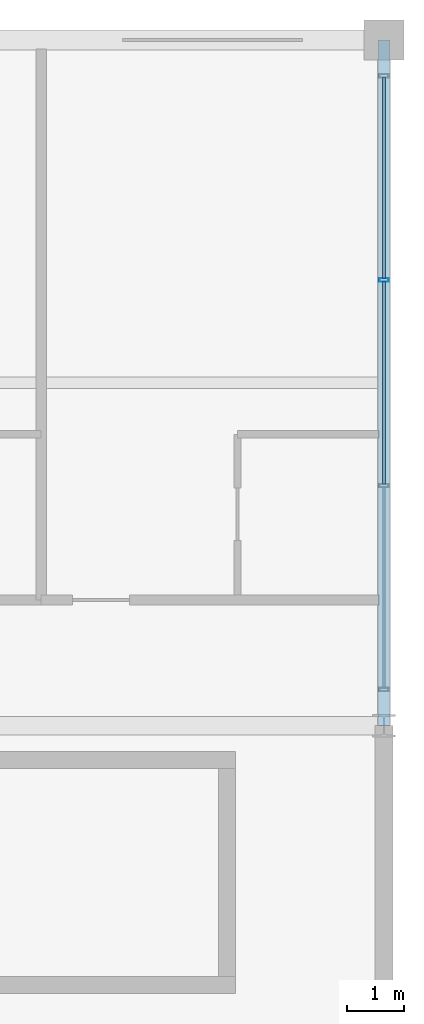
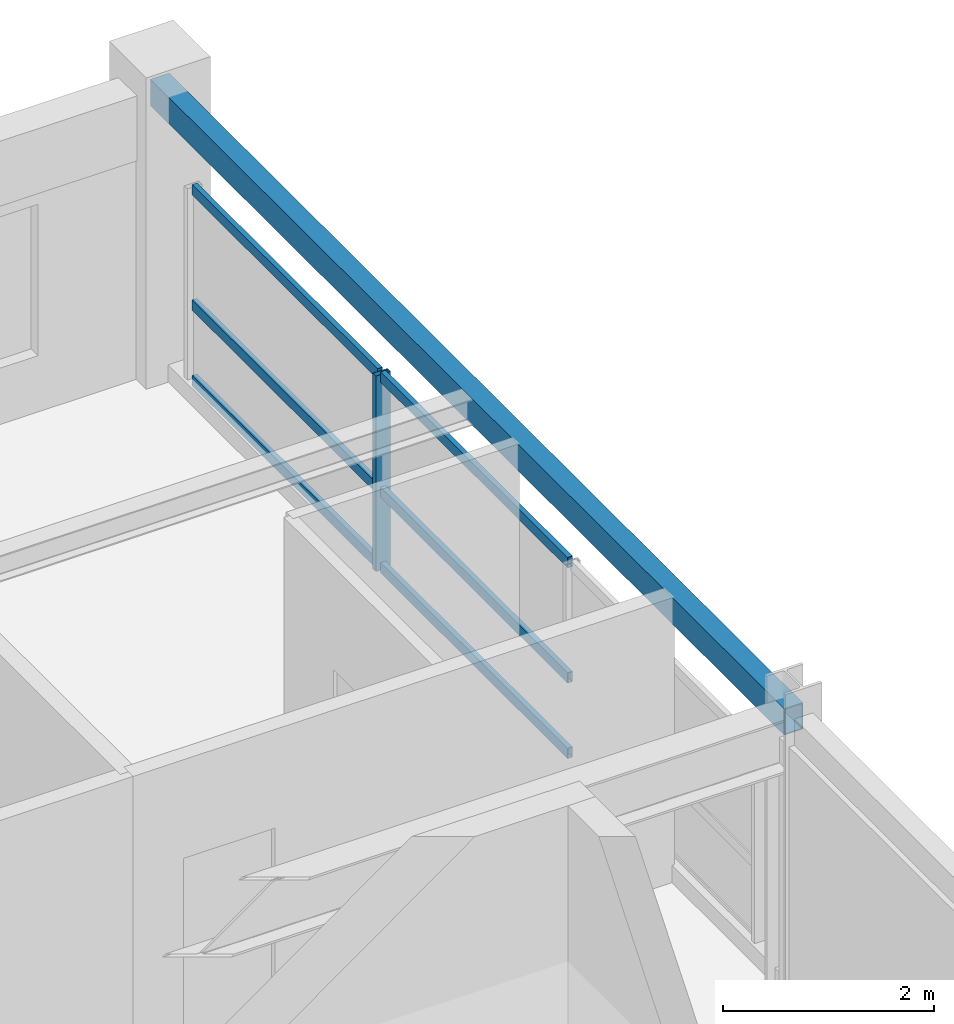
# One storey, part 14 of 22: 7 members, 1 beam, 1 element without a shape of its own.
"""IFC4 building model written with IfcOpenShell, lengths in metres."""

from ifc_helpers import new_model, si_unit, direction, frame, origin, origin_2d, place, context, subcontext, project, spatial, hollow_rectangle, extrude, material, material_profile, profile_set, type_object, element, aggregate, save


model = new_model("IFC4")

# Units and contexts
model_context = context("Model", 3, precision=1e-05, world=origin(), true_north=direction((0.0, 1.0)))
body_context = subcontext(model_context, "Body", "Model", "MODEL_VIEW")
ifc_project = project(units=[si_unit("LENGTHUNIT", "METRE"), si_unit("AREAUNIT", "SQUARE_METRE"), si_unit("VOLUMEUNIT", "CUBIC_METRE"), si_unit("PLANEANGLEUNIT", "RADIAN"), si_unit("MASSUNIT", "GRAM", prefix="KILO")], contexts=[model_context])

# Site, building, storey
site_placement = place(None, origin())
site = spatial("IfcSite", under=ifc_project, at=site_placement, CompositionType="ELEMENT")
building_placement = place(site_placement, origin())
building = spatial("IfcBuilding", under=site, at=building_placement, Name="Kaldorvane Square Convention Centre", CompositionType="ELEMENT")
storey_placement = place(building_placement, frame((0.0, 0.0, 63.600006103515625)))
storey = spatial("IfcBuildingStorey", under=building, at=storey_placement, Name="L15", CompositionType="ELEMENT", Elevation=63.600006103515625)

# Beam
ifc_material_1 = material(Name="Steel ASTM A500 Gr. C", Category="steel")
ifc_material_profile_1 = material_profile(ifc_material_1, hollow_rectangle(XDim=0.2032012939453125, YDim=0.3047943115234375, WallThickness=0.0088958740234375, at=origin_2d()), Name="HSS12X8X3/8")
ifc_profile_set_1 = profile_set([ifc_material_profile_1], Name="Steel ASTM A500 Gr. C")
beam_type = type_object("IfcBeamType", Name="BM-SP-HSS12", PredefinedType="SPANDREL", material=ifc_profile_set_1)
beam_placement = place(storey_placement, frame((78.0, 105.0, 3.1335906982421875), z_axis=(0.0, 1.0, 0.0), x_axis=(-1.0, 0.0, 0.0)))
element("IfcBeam", 1, at=beam_placement, inside=storey, type_object=beam_type, Name="End Spandrel (L15)", PredefinedType="SPANDREL", context=body_context, shape_type="SweptSolid", body=[
    extrude(hollow_rectangle(XDim=0.2032012939453125, YDim=0.3047943115234375, WallThickness=0.0088958740234375, at=origin_2d()), origin(), (0.0, 0.0, 1.0), 12.0),
])

# Curtain wall, members
ifc_material_2 = material(Name="Anodized Aluminum and Low-E Insulated Glazing", Category="aluminium")
curtain_wall_type = type_object("IfcCurtainWallType", Name="CW-UNI-HTL-A", PredefinedType="USERDEFINED", material=ifc_material_2)
curtain_wall_placement = place(storey_placement, origin())
curtain_wall = element("IfcCurtainWall", 2, at=curtain_wall_placement, inside=storey, type_object=curtain_wall_type, Name="Curtain Wall CW-10 (L15)", ObjectType="UNITISED GLAZING", PredefinedType="USERDEFINED")
ifc_material_profile_2 = material_profile(ifc_material_2, hollow_rectangle(XDim=0.05999755859375, YDim=0.160003662109375, WallThickness=0.003204345703125, at=origin_2d()), Name="CWM-160X60")
ifc_profile_set_2 = profile_set([ifc_material_profile_2], Name="Anodized Aluminum and Low-E Insulated Glazing")
member_type_1 = type_object("IfcMemberType", Name="CW-MUL-160", PredefinedType="MULLION", material=ifc_profile_set_2)
member_1_placement = place(storey_placement, frame((78.0, 112.80000305175781, 0.149993896484375), z_axis=(0.0, 0.0, 1.0), x_axis=(0.0, 1.0, 0.0)))
member_1 = element("IfcMember", 3, at=member_1_placement, type_object=member_type_1, Name="CW-10 mullion 3", PredefinedType="MULLION", context=body_context, shape_type="SweptSolid", body=[
    extrude(hollow_rectangle(XDim=0.05999755859375, YDim=0.160003662109375, WallThickness=0.003204345703125, at=origin_2d()), origin(), (0.0, 0.0, 1.0), 2.2599945068359375),
])
ifc_material_profile_3 = material_profile(ifc_material_2, hollow_rectangle(XDim=0.05499267578125, YDim=0.1199951171875, WallThickness=0.0030059814453125, at=origin_2d()), Name="CWT-120X55")
ifc_profile_set_3 = profile_set([ifc_material_profile_3], Name="Anodized Aluminum and Low-E Insulated Glazing")
member_type_2 = type_object("IfcMemberType", Name="CW-TRN-120", PredefinedType="USERDEFINED", material=ifc_profile_set_3)
member_2_placement = place(storey_placement, frame((78.0, 109.22999572753906, 0.177490234375), z_axis=(0.0, 1.0, 0.0), x_axis=(-1.0, 0.0, 0.0)))
member_2 = element("IfcMember", 4, at=member_2_placement, type_object=member_type_2, Name="CW-10 transom 2.1", ObjectType="TRANSOM", PredefinedType="USERDEFINED", context=body_context, shape_type="SweptSolid", body=[
    extrude(hollow_rectangle(XDim=0.05499267578125, YDim=0.1199951171875, WallThickness=0.0030059814453125, at=origin_2d()), origin(), (0.0, 0.0, 1.0), 3.540008544921875),
])
member_3_placement = place(storey_placement, frame((78.0, 109.22999572753906, 1.04998779296875), z_axis=(0.0, 1.0, 0.0), x_axis=(-1.0, 0.0, 0.0)))
member_3 = element("IfcMember", 5, at=member_3_placement, type_object=member_type_2, Name="CW-10 transom 2.2", ObjectType="TRANSOM", PredefinedType="USERDEFINED", context=body_context, shape_type="SweptSolid", body=[
    extrude(hollow_rectangle(XDim=0.05499267578125, YDim=0.1199951171875, WallThickness=0.0030059814453125, at=origin_2d()), origin(), (0.0, 0.0, 1.0), 3.540008544921875),
])
member_4_placement = place(storey_placement, frame((78.0, 109.22999572753906, 2.3824920654296875), z_axis=(0.0, 1.0, 0.0), x_axis=(-1.0, 0.0, 0.0)))
member_4 = element("IfcMember", 6, at=member_4_placement, type_object=member_type_2, Name="CW-10 transom 2.3", ObjectType="TRANSOM", PredefinedType="USERDEFINED", context=body_context, shape_type="SweptSolid", body=[
    extrude(hollow_rectangle(XDim=0.05499267578125, YDim=0.1199951171875, WallThickness=0.0030059814453125, at=origin_2d()), origin(), (0.0, 0.0, 1.0), 3.540008544921875),
])
member_5_placement = place(storey_placement, frame((78.0, 112.83000183105469, 0.177490234375), z_axis=(0.0, 1.0, 0.0), x_axis=(-1.0, 0.0, 0.0)))
member_5 = element("IfcMember", 7, at=member_5_placement, type_object=member_type_2, Name="CW-10 transom 3.1", ObjectType="TRANSOM", PredefinedType="USERDEFINED", context=body_context, shape_type="SweptSolid", body=[
    extrude(hollow_rectangle(XDim=0.05499267578125, YDim=0.1199951171875, WallThickness=0.0030059814453125, at=origin_2d()), origin(), (0.0, 0.0, 1.0), 3.5099945068359375),
])
member_6_placement = place(storey_placement, frame((78.0, 112.83000183105469, 1.04998779296875), z_axis=(0.0, 1.0, 0.0), x_axis=(-1.0, 0.0, 0.0)))
member_6 = element("IfcMember", 8, at=member_6_placement, type_object=member_type_2, Name="CW-10 transom 3.2", ObjectType="TRANSOM", PredefinedType="USERDEFINED", context=body_context, shape_type="SweptSolid", body=[
    extrude(hollow_rectangle(XDim=0.05499267578125, YDim=0.1199951171875, WallThickness=0.0030059814453125, at=origin_2d()), origin(), (0.0, 0.0, 1.0), 3.5099945068359375),
])
member_7_placement = place(storey_placement, frame((78.0, 112.83000183105469, 2.3824920654296875), z_axis=(0.0, 1.0, 0.0), x_axis=(-1.0, 0.0, 0.0)))
member_7 = element("IfcMember", 9, at=member_7_placement, type_object=member_type_2, Name="CW-10 transom 3.3", ObjectType="TRANSOM", PredefinedType="USERDEFINED", context=body_context, shape_type="SweptSolid", body=[
    extrude(hollow_rectangle(XDim=0.05499267578125, YDim=0.1199951171875, WallThickness=0.0030059814453125, at=origin_2d()), origin(), (0.0, 0.0, 1.0), 3.5099945068359375),
])
aggregate(curtain_wall, [member_1, member_2, member_3, member_4, member_5, member_6, member_7])

save(model, "model.ifc")
